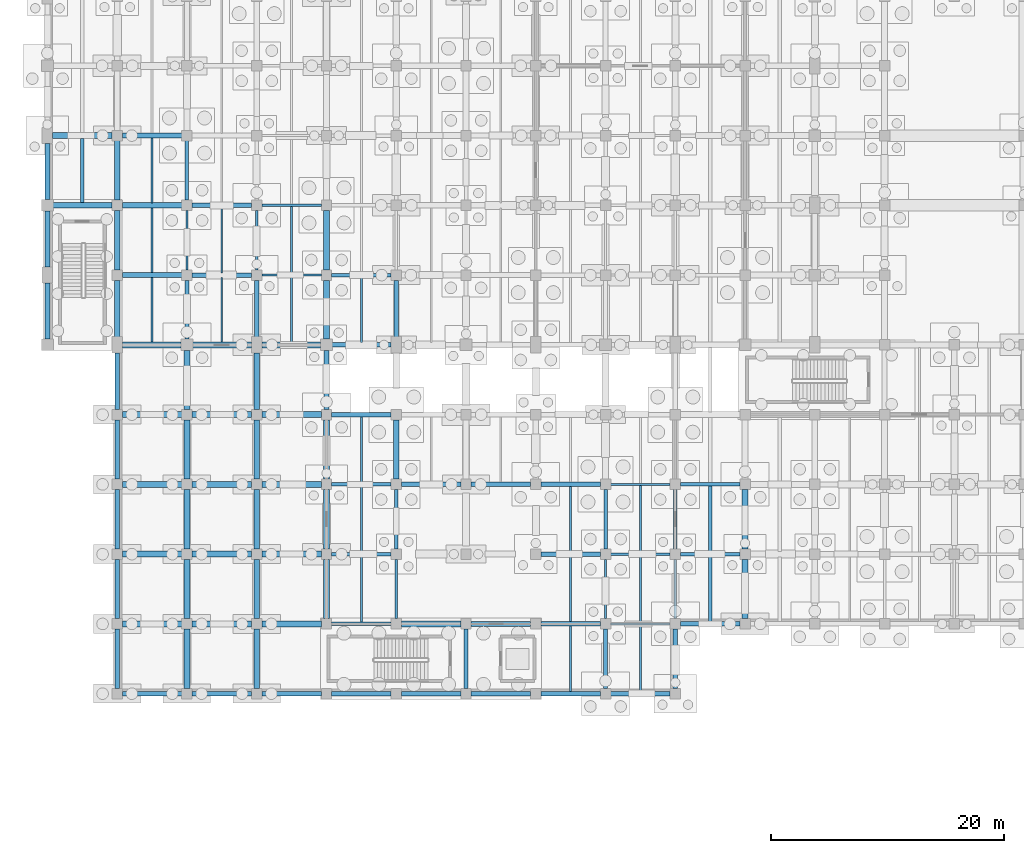
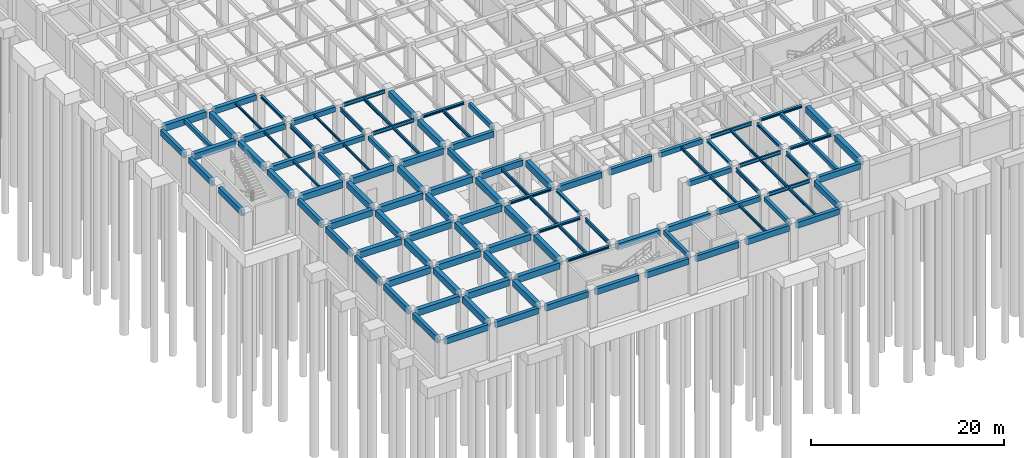
# One storey, part 26 of 54: 116 beams.
"""IFC4 building model written with IfcOpenShell, lengths in metres."""

from ifc_helpers import new_model, si_unit, direction, frame, origin, origin_2d, place, context, subcontext, project, spatial, rectangle, i_section, extrude, material, material_profile, profile_set, type_object, element, save


model = new_model("IFC4")

# Units and contexts
model_context = context("Model", 3, precision=1e-05, world=origin(), true_north=direction((0.0, 1.0)))
body_context = subcontext(model_context, "Body", "Model", "MODEL_VIEW")
ifc_project = project(units=[si_unit("LENGTHUNIT", "METRE"), si_unit("AREAUNIT", "SQUARE_METRE"), si_unit("VOLUMEUNIT", "CUBIC_METRE"), si_unit("PLANEANGLEUNIT", "RADIAN"), si_unit("MASSUNIT", "GRAM", prefix="KILO"), si_unit("THERMODYNAMICTEMPERATUREUNIT", "KELVIN"), si_unit("POWERUNIT", "WATT")], contexts=[model_context])

# Site, building, storey
site_placement = place(None, origin())
site = spatial("IfcSite", under=ifc_project, at=site_placement, CompositionType="ELEMENT")
building_placement = place(site_placement, origin())
building = spatial("IfcBuilding", under=site, at=building_placement, Name="Phaisarnlok Congress Hotel", CompositionType="ELEMENT")
storey_placement = place(building_placement, frame((0.0, 0.0, -4.800048828125)))
storey = spatial("IfcBuildingStorey", under=building, at=storey_placement, Name="B01", CompositionType="ELEMENT", Elevation=-4.800048828125)

# Beams
ifc_material_1 = material(Name="Concrete C40/50", Category="concrete")
ifc_material_profile_1 = material_profile(ifc_material_1, rectangle(XDim=0.35009765625, YDim=0.550048828125, at=origin_2d()), Name="RC 350x550")
ifc_profile_set_1 = profile_set([ifc_material_profile_1], Name="Concrete C40/50")
beam_type_1 = type_object("IfcBeamType", Name="BM-RC-350x550", PredefinedType="BEAM", material=ifc_profile_set_1)
beam_1_placement = place(storey_placement, frame((12.0, 42.4951171875, 4.22509765625), z_axis=(0.0, 1.0, 0.0), x_axis=(-1.0, 0.0, 0.0)))
element("IfcBeam", 1, at=beam_1_placement, inside=storey, type_object=beam_type_1, Name="Beam B-01", PredefinedType="BEAM", context=body_context, shape_type="SweptSolid", body=[
    extrude(rectangle(XDim=0.35009765625, YDim=0.550048828125, at=origin_2d()), origin(), (0.0, 0.0, 1.0), 5.059814453125),
])
for number, where, z_axis, x_axis, name in (
    (2, (18.0, 42.695068359375, 4.22509765625), (0.0, 1.0, 0.0), (-1.0, 0.0, 0.0), "Beam B-01"),
    (3, (30.0, 42.695068359375, 4.22509765625), (0.0, 1.0, 0.0), (-1.0, 0.0, 0.0), "Beam B-01"),
):
    element("IfcBeam", number, at=place(storey_placement, frame(where, z_axis=z_axis, x_axis=x_axis)), inside=storey, type_object=beam_type_1, Name=name, PredefinedType="BEAM", context=body_context, shape_type="SweptSolid", body=[
        extrude(rectangle(XDim=0.35009765625, YDim=0.550048828125, at=origin_2d()), origin(), (0.0, 0.0, 1.0), 4.85986328125),
    ])
for number, where, z_axis, x_axis, name in (
    (4, (36.0, 12.445068359375, 4.22509765625), (0.0, 1.0, 0.0), (-1.0, 0.0, 0.0), "Beam B-01"),
    (5, (48.0, 12.445068359375, 4.22509765625), (0.0, 1.0, 0.0), (-1.0, 0.0, 0.0), "Beam B-01"),
):
    element("IfcBeam", number, at=place(storey_placement, frame(where, z_axis=z_axis, x_axis=x_axis)), inside=storey, type_object=beam_type_1, Name=name, PredefinedType="BEAM", context=body_context, shape_type="SweptSolid", body=[
        extrude(rectangle(XDim=0.35009765625, YDim=0.550048828125, at=origin_2d()), origin(), (0.0, 0.0, 1.0), 5.10986328125),
    ])
ifc_material_profile_2 = material_profile(ifc_material_1, rectangle(XDim=0.39990234375, YDim=0.60009765625, at=origin_2d()), Name="RC 400x600")
ifc_profile_set_2 = profile_set([ifc_material_profile_2], Name="Concrete C40/50")
beam_type_2 = type_object("IfcBeamType", Name="BM-RC-400x600", PredefinedType="BEAM", material=ifc_profile_set_2)
for number, where, z_axis, x_axis, name in (
    (6, (12.445068359375, 48.0, 4.199951171875), (1.0, 0.0, 0.0), (0.0, 1.0, 0.0), "Beam B-02"),
    (7, (12.445068359375, 54.0, 4.199951171875), (1.0, 0.0, 0.0), (0.0, 1.0, 0.0), "Beam B-02"),
    (8, (42.445068359375, 18.0, 4.199951171875), (1.0, 0.0, 0.0), (0.0, 1.0, 0.0), "Beam B-02"),
    (9, (42.445068359375, 24.0, 4.199951171875), (1.0, 0.0, 0.0), (0.0, 1.0, 0.0), "Beam B-02"),
    (10, (42.445068359375, 30.0, 4.199951171875), (1.0, 0.0, 0.0), (0.0, 1.0, 0.0), "Beam B-02"),
):
    element("IfcBeam", number, at=place(storey_placement, frame(where, z_axis=z_axis, x_axis=x_axis)), inside=storey, type_object=beam_type_2, Name=name, PredefinedType="BEAM", context=body_context, shape_type="SweptSolid", body=[
        extrude(rectangle(XDim=0.39990234375, YDim=0.60009765625, at=origin_2d()), origin(), (0.0, 0.0, 1.0), 5.10986328125),
    ])
ifc_material_profile_3 = material_profile(ifc_material_1, rectangle(XDim=0.449951171875, YDim=0.699951171875, at=origin_2d()), Name="RC 450x700")
ifc_profile_set_3 = profile_set([ifc_material_profile_3], Name="Concrete C40/50")
beam_type_3 = type_object("IfcBeamType", Name="BM-RC-450x700", PredefinedType="BEAM", material=ifc_profile_set_3)
for number, where, z_axis, x_axis, name in (
    (11, (6.445068359375, 48.0, 4.150146484375), (1.0, 0.0, 0.0), (0.0, 1.0, 0.0), "Beam B-03"),
    (12, (6.445068359375, 54.0, 4.150146484375), (1.0, 0.0, 0.0), (0.0, 1.0, 0.0), "Beam B-03"),
    (13, (6.445068359375, 60.0, 4.150146484375), (1.0, 0.0, 0.0), (0.0, 1.0, 0.0), "Beam B-03"),
    (14, (36.445068359375, 18.0, 4.150146484375), (1.0, 0.0, 0.0), (0.0, 1.0, 0.0), "Beam B-03"),
):
    element("IfcBeam", number, at=place(storey_placement, frame(where, z_axis=z_axis, x_axis=x_axis)), inside=storey, type_object=beam_type_3, Name=name, PredefinedType="BEAM", context=body_context, shape_type="SweptSolid", body=[
        extrude(rectangle(XDim=0.449951171875, YDim=0.699951171875, at=origin_2d()), origin(), (0.0, 0.0, 1.0), 5.10986328125),
    ])
ifc_material_profile_4 = material_profile(ifc_material_1, rectangle(XDim=0.5, YDim=0.800048828125, at=origin_2d()), Name="RC 500x800")
ifc_profile_set_4 = profile_set([ifc_material_profile_4], Name="Concrete C40/50")
beam_type_4 = type_object("IfcBeamType", Name="BM-RC-500x800", PredefinedType="BEAM", material=ifc_profile_set_4)
beam_2_placement = place(storey_placement, frame((0.4951171875, 54.0, 4.10009765625), z_axis=(1.0, 0.0, 0.0), x_axis=(0.0, 1.0, 0.0)))
element("IfcBeam", 15, at=beam_2_placement, inside=storey, type_object=beam_type_4, Name="Beam B-04", PredefinedType="BEAM", context=body_context, shape_type="SweptSolid", body=[
    extrude(rectangle(XDim=0.5, YDim=0.800048828125, at=origin_2d()), origin(), (0.0, 0.0, 1.0), 5.059814453125),
])
for number, where, z_axis, x_axis, name in (
    (16, (0.445068359375, 60.0, 4.10009765625), (1.0, 0.0, 0.0), (0.0, 1.0, 0.0), "Beam B-04"),
    (17, (6.445068359375, 18.0, 4.150146484375), (1.0, 0.0, 0.0), (0.0, 1.0, 0.0), "Beam B-04"),
    (18, (6.445068359375, 24.0, 4.150146484375), (1.0, 0.0, 0.0), (0.0, 1.0, 0.0), "Beam B-04"),
    (19, (6.445068359375, 30.0, 4.150146484375), (1.0, 0.0, 0.0), (0.0, 1.0, 0.0), "Beam B-04"),
    (20, (6.445068359375, 36.0, 4.150146484375), (1.0, 0.0, 0.0), (0.0, 1.0, 0.0), "Beam B-04"),
):
    element("IfcBeam", number, at=place(storey_placement, frame(where, z_axis=z_axis, x_axis=x_axis)), inside=storey, type_object=beam_type_4, Name=name, PredefinedType="BEAM", context=body_context, shape_type="SweptSolid", body=[
        extrude(rectangle(XDim=0.5, YDim=0.800048828125, at=origin_2d()), origin(), (0.0, 0.0, 1.0), 5.10986328125),
    ])
beam_3_placement = place(storey_placement, frame((6.445068359375, 42.0, 4.10009765625), z_axis=(1.0, 0.0, 0.0), x_axis=(0.0, 1.0, 0.0)))
element("IfcBeam", 21, at=beam_3_placement, inside=storey, type_object=beam_type_4, Name="Beam B-04", PredefinedType="BEAM", context=body_context, shape_type="SweptSolid", body=[
    extrude(rectangle(XDim=0.5, YDim=0.800048828125, at=origin_2d()), origin(), (0.0, 0.0, 1.0), 5.059814453125),
])
beam_4_placement = place(storey_placement, frame((6.0, 42.695068359375, 4.10009765625), z_axis=(0.0, 1.0, 0.0), x_axis=(-1.0, 0.0, 0.0)))
element("IfcBeam", 22, at=beam_4_placement, inside=storey, type_object=beam_type_4, Name="Beam B-04", PredefinedType="BEAM", context=body_context, shape_type="SweptSolid", body=[
    extrude(rectangle(XDim=0.5, YDim=0.800048828125, at=origin_2d()), origin(), (0.0, 0.0, 1.0), 4.85986328125),
])
for number, where, z_axis, x_axis, name in (
    (23, (6.0, 48.445068359375, 4.10009765625), (0.0, 1.0, 0.0), (-1.0, 0.0, 0.0), "Beam B-04"),
    (24, (6.0, 54.445068359375, 4.10009765625), (0.0, 1.0, 0.0), (-1.0, 0.0, 0.0), "Beam B-04"),
    (25, (12.0, 12.445068359375, 4.150146484375), (0.0, 1.0, 0.0), (-1.0, 0.0, 0.0), "Beam B-04"),
    (26, (12.445068359375, 18.0, 4.150146484375), (1.0, 0.0, 0.0), (0.0, 1.0, 0.0), "Beam B-04"),
    (27, (12.0, 18.445068359375, 4.150146484375), (0.0, 1.0, 0.0), (-1.0, 0.0, 0.0), "Beam B-04"),
    (28, (12.445068359375, 24.0, 4.150146484375), (1.0, 0.0, 0.0), (0.0, 1.0, 0.0), "Beam B-04"),
    (29, (12.0, 24.445068359375, 4.150146484375), (0.0, 1.0, 0.0), (-1.0, 0.0, 0.0), "Beam B-04"),
    (30, (12.445068359375, 30.0, 4.150146484375), (1.0, 0.0, 0.0), (0.0, 1.0, 0.0), "Beam B-04"),
    (31, (12.0, 30.445068359375, 4.150146484375), (0.0, 1.0, 0.0), (-1.0, 0.0, 0.0), "Beam B-04"),
    (32, (12.445068359375, 36.0, 4.150146484375), (1.0, 0.0, 0.0), (0.0, 1.0, 0.0), "Beam B-04"),
):
    element("IfcBeam", number, at=place(storey_placement, frame(where, z_axis=z_axis, x_axis=x_axis)), inside=storey, type_object=beam_type_4, Name=name, PredefinedType="BEAM", context=body_context, shape_type="SweptSolid", body=[
        extrude(rectangle(XDim=0.5, YDim=0.800048828125, at=origin_2d()), origin(), (0.0, 0.0, 1.0), 5.10986328125),
    ])
for number, where, z_axis, x_axis, name in (
    (33, (12.0, 36.445068359375, 4.150146484375), (0.0, 1.0, 0.0), (-1.0, 0.0, 0.0), "Beam B-04"),
    (34, (12.4951171875, 42.0, 4.10009765625), (1.0, 0.0, 0.0), (0.0, 1.0, 0.0), "Beam B-04"),
):
    element("IfcBeam", number, at=place(storey_placement, frame(where, z_axis=z_axis, x_axis=x_axis)), inside=storey, type_object=beam_type_4, Name=name, PredefinedType="BEAM", context=body_context, shape_type="SweptSolid", body=[
        extrude(rectangle(XDim=0.5, YDim=0.800048828125, at=origin_2d()), origin(), (0.0, 0.0, 1.0), 5.059814453125),
    ])
for number, where, z_axis, x_axis, name in (
    (35, (18.0, 12.445068359375, 4.150146484375), (0.0, 1.0, 0.0), (-1.0, 0.0, 0.0), "Beam B-04"),
    (36, (18.445068359375, 18.0, 4.150146484375), (1.0, 0.0, 0.0), (0.0, 1.0, 0.0), "Beam B-04"),
    (37, (18.0, 18.445068359375, 4.150146484375), (0.0, 1.0, 0.0), (-1.0, 0.0, 0.0), "Beam B-04"),
    (38, (18.445068359375, 24.0, 4.150146484375), (1.0, 0.0, 0.0), (0.0, 1.0, 0.0), "Beam B-04"),
    (39, (18.0, 24.445068359375, 4.150146484375), (0.0, 1.0, 0.0), (-1.0, 0.0, 0.0), "Beam B-04"),
    (40, (18.445068359375, 30.0, 4.150146484375), (1.0, 0.0, 0.0), (0.0, 1.0, 0.0), "Beam B-04"),
    (41, (18.0, 30.445068359375, 4.150146484375), (0.0, 1.0, 0.0), (-1.0, 0.0, 0.0), "Beam B-04"),
    (42, (18.445068359375, 36.0, 4.150146484375), (1.0, 0.0, 0.0), (0.0, 1.0, 0.0), "Beam B-04"),
):
    element("IfcBeam", number, at=place(storey_placement, frame(where, z_axis=z_axis, x_axis=x_axis)), inside=storey, type_object=beam_type_4, Name=name, PredefinedType="BEAM", context=body_context, shape_type="SweptSolid", body=[
        extrude(rectangle(XDim=0.5, YDim=0.800048828125, at=origin_2d()), origin(), (0.0, 0.0, 1.0), 5.10986328125),
    ])
beam_5_placement = place(storey_placement, frame((18.0, 36.445068359375, 4.150146484375), z_axis=(0.0, 1.0, 0.0), x_axis=(-1.0, 0.0, 0.0)))
element("IfcBeam", 43, at=beam_5_placement, inside=storey, type_object=beam_type_4, Name="Beam B-04", PredefinedType="BEAM", context=body_context, shape_type="SweptSolid", body=[
    extrude(rectangle(XDim=0.5, YDim=0.800048828125, at=origin_2d()), origin(), (0.0, 0.0, 1.0), 4.85986328125),
])
beam_6_placement = place(storey_placement, frame((18.445068359375, 42.0, 4.10009765625), z_axis=(1.0, 0.0, 0.0), x_axis=(0.0, 1.0, 0.0)))
element("IfcBeam", 44, at=beam_6_placement, inside=storey, type_object=beam_type_4, Name="Beam B-04", PredefinedType="BEAM", context=body_context, shape_type="SweptSolid", body=[
    extrude(rectangle(XDim=0.5, YDim=0.800048828125, at=origin_2d()), origin(), (0.0, 0.0, 1.0), 5.059814453125),
])
for number, where, z_axis, x_axis, name in (
    (45, (24.0, 18.445068359375, 4.10009765625), (0.0, 1.0, 0.0), (-1.0, 0.0, 0.0), "Beam B-04"),
    (46, (24.0, 24.445068359375, 4.10009765625), (0.0, 1.0, 0.0), (-1.0, 0.0, 0.0), "Beam B-04"),
    (47, (24.0, 30.445068359375, 4.10009765625), (0.0, 1.0, 0.0), (-1.0, 0.0, 0.0), "Beam B-04"),
):
    element("IfcBeam", number, at=place(storey_placement, frame(where, z_axis=z_axis, x_axis=x_axis)), inside=storey, type_object=beam_type_4, Name=name, PredefinedType="BEAM", context=body_context, shape_type="SweptSolid", body=[
        extrude(rectangle(XDim=0.5, YDim=0.800048828125, at=origin_2d()), origin(), (0.0, 0.0, 1.0), 5.10986328125),
    ])
beam_7_placement = place(storey_placement, frame((24.0, 42.4951171875, 4.10009765625), z_axis=(0.0, 1.0, 0.0), x_axis=(-1.0, 0.0, 0.0)))
element("IfcBeam", 48, at=beam_7_placement, inside=storey, type_object=beam_type_4, Name="Beam B-04", PredefinedType="BEAM", context=body_context, shape_type="SweptSolid", body=[
    extrude(rectangle(XDim=0.5, YDim=0.800048828125, at=origin_2d()), origin(), (0.0, 0.0, 1.0), 5.059814453125),
])
for number, where, z_axis, x_axis, name in (
    (49, (24.0, 48.445068359375, 4.10009765625), (0.0, 1.0, 0.0), (-1.0, 0.0, 0.0), "Beam B-04"),
    (50, (30.445068359375, 18.0, 4.10009765625), (1.0, 0.0, 0.0), (0.0, 1.0, 0.0), "Beam B-04"),
    (51, (30.0, 30.445068359375, 4.10009765625), (0.0, 1.0, 0.0), (-1.0, 0.0, 0.0), "Beam B-04"),
    (52, (60.0, 18.445068359375, 4.10009765625), (0.0, 1.0, 0.0), (-1.0, 0.0, 0.0), "Beam B-04"),
    (53, (60.0, 24.445068359375, 4.10009765625), (0.0, 1.0, 0.0), (-1.0, 0.0, 0.0), "Beam B-04"),
):
    element("IfcBeam", number, at=place(storey_placement, frame(where, z_axis=z_axis, x_axis=x_axis)), inside=storey, type_object=beam_type_4, Name=name, PredefinedType="BEAM", context=body_context, shape_type="SweptSolid", body=[
        extrude(rectangle(XDim=0.5, YDim=0.800048828125, at=origin_2d()), origin(), (0.0, 0.0, 1.0), 5.10986328125),
    ])
ifc_material_2 = material(Name="Steel S355", Category="steel")
ifc_material_profile_5 = material_profile(ifc_material_2, i_section(OverallWidth=0.300048828125, OverallDepth=0.2900390625, WebThickness=0.008544921875, FlangeThickness=0.013916015625, FilletRadius=0.027099609375, at=origin_2d()), Name="HEA 300")
ifc_profile_set_5 = profile_set([ifc_material_profile_5], Name="Steel S355")
beam_type_5 = type_object("IfcBeamType", Name="BM-STL-HEA300", PredefinedType="BEAM", material=ifc_profile_set_5)
for number, where, z_axis, x_axis, name in (
    (54, (24.445068359375, 18.0, 4.35498046875), (1.0, 0.0, 0.0), (0.0, 1.0, 0.0), "Beam SB-05"),
    (55, (24.445068359375, 24.0, 4.35498046875), (1.0, 0.0, 0.0), (0.0, 1.0, 0.0), "Beam SB-05"),
    (56, (24.445068359375, 30.0, 4.35498046875), (1.0, 0.0, 0.0), (0.0, 1.0, 0.0), "Beam SB-05"),
    (57, (24.445068359375, 48.0, 4.35498046875), (1.0, 0.0, 0.0), (0.0, 1.0, 0.0), "Beam SB-05"),
    (58, (54.445068359375, 24.0, 4.35498046875), (1.0, 0.0, 0.0), (0.0, 1.0, 0.0), "Beam SB-05"),
    (59, (54.445068359375, 30.0, 4.35498046875), (1.0, 0.0, 0.0), (0.0, 1.0, 0.0), "Beam SB-05"),
):
    element("IfcBeam", number, at=place(storey_placement, frame(where, z_axis=z_axis, x_axis=x_axis)), inside=storey, type_object=beam_type_5, Name=name, PredefinedType="BEAM", context=body_context, shape_type="SweptSolid", body=[
        extrude(i_section(OverallWidth=0.300048828125, OverallDepth=0.2900390625, WebThickness=0.008544921875, FlangeThickness=0.013916015625, FilletRadius=0.027099609375, at=origin_2d()), origin(), (0.0, 0.0, 1.0), 5.10986328125),
    ])
ifc_material_profile_6 = material_profile(ifc_material_2, i_section(OverallWidth=0.300048828125, OverallDepth=0.340087890625, WebThickness=0.011962890625, FlangeThickness=0.021484375, FilletRadius=0.027099609375, at=origin_2d()), Name="HEB 340")
ifc_profile_set_6 = profile_set([ifc_material_profile_6], Name="Steel S355")
beam_type_6 = type_object("IfcBeamType", Name="BM-STL-HEB340", PredefinedType="BEAM", material=ifc_profile_set_6)
for number, where, z_axis, x_axis, name in (
    (60, (12.0, 54.445068359375, 4.330078125), (0.0, 1.0, 0.0), (-1.0, 0.0, 0.0), "Beam SB-07"),
    (61, (30.0, 24.445068359375, 4.330078125), (0.0, 1.0, 0.0), (-1.0, 0.0, 0.0), "Beam SB-07"),
    (62, (48.0, 24.445068359375, 4.330078125), (0.0, 1.0, 0.0), (-1.0, 0.0, 0.0), "Beam SB-07"),
    (63, (54.0, 24.445068359375, 4.330078125), (0.0, 1.0, 0.0), (-1.0, 0.0, 0.0), "Beam SB-07"),
):
    element("IfcBeam", number, at=place(storey_placement, frame(where, z_axis=z_axis, x_axis=x_axis)), inside=storey, type_object=beam_type_6, Name=name, PredefinedType="BEAM", context=body_context, shape_type="SweptSolid", body=[
        extrude(i_section(OverallWidth=0.300048828125, OverallDepth=0.340087890625, WebThickness=0.011962890625, FlangeThickness=0.021484375, FilletRadius=0.027099609375, at=origin_2d()), origin(), (0.0, 0.0, 1.0), 5.10986328125),
    ])
ifc_material_profile_7 = material_profile(ifc_material_2, i_section(OverallWidth=0.18994140625, OverallDepth=0.449951171875, WebThickness=0.009521484375, FlangeThickness=0.0146484375, FilletRadius=0.02099609375, at=origin_2d()), Name="IPE 450")
ifc_profile_set_7 = profile_set([ifc_material_profile_7], Name="Steel S355")
beam_type_7 = type_object("IfcBeamType", Name="BM-STL-IPE450", PredefinedType="BEAM", material=ifc_profile_set_7)
for number, where, z_axis, x_axis, name in (
    (64, (18.445068359375, 48.0, 4.275146484375), (1.0, 0.0, 0.0), (0.0, 1.0, 0.0), "Beam SB-01"),
    (65, (18.445068359375, 54.0, 4.275146484375), (1.0, 0.0, 0.0), (0.0, 1.0, 0.0), "Beam SB-01"),
    (66, (48.445068359375, 18.0, 4.275146484375), (1.0, 0.0, 0.0), (0.0, 1.0, 0.0), "Beam SB-01"),
    (67, (48.445068359375, 24.0, 4.275146484375), (1.0, 0.0, 0.0), (0.0, 1.0, 0.0), "Beam SB-01"),
    (68, (48.445068359375, 30.0, 4.275146484375), (1.0, 0.0, 0.0), (0.0, 1.0, 0.0), "Beam SB-01"),
):
    element("IfcBeam", number, at=place(storey_placement, frame(where, z_axis=z_axis, x_axis=x_axis)), inside=storey, type_object=beam_type_7, Name=name, PredefinedType="BEAM", context=body_context, shape_type="SweptSolid", body=[
        extrude(i_section(OverallWidth=0.18994140625, OverallDepth=0.449951171875, WebThickness=0.009521484375, FlangeThickness=0.0146484375, FilletRadius=0.02099609375, at=origin_2d()), origin(), (0.0, 0.0, 1.0), 5.10986328125),
    ])
ifc_material_profile_8 = material_profile(ifc_material_2, i_section(OverallWidth=0.199951171875, OverallDepth=0.5, WebThickness=0.01025390625, FlangeThickness=0.01611328125, FilletRadius=0.02099609375, at=origin_2d()), Name="IPE 500")
ifc_profile_set_8 = profile_set([ifc_material_profile_8], Name="Steel S355")
beam_type_8 = type_object("IfcBeamType", Name="BM-STL-IPE500", PredefinedType="BEAM", material=ifc_profile_set_8)
for number, where, z_axis, x_axis, name in (
    (69, (12.0, 48.445068359375, 4.25), (0.0, 1.0, 0.0), (-1.0, 0.0, 0.0), "Beam SB-02"),
    (70, (18.0, 48.445068359375, 4.25), (0.0, 1.0, 0.0), (-1.0, 0.0, 0.0), "Beam SB-02"),
    (71, (30.0, 18.445068359375, 4.25), (0.0, 1.0, 0.0), (-1.0, 0.0, 0.0), "Beam SB-02"),
    (72, (48.0, 18.445068359375, 4.25), (0.0, 1.0, 0.0), (-1.0, 0.0, 0.0), "Beam SB-02"),
    (73, (54.0, 18.445068359375, 4.25), (0.0, 1.0, 0.0), (-1.0, 0.0, 0.0), "Beam SB-02"),
):
    element("IfcBeam", number, at=place(storey_placement, frame(where, z_axis=z_axis, x_axis=x_axis)), inside=storey, type_object=beam_type_8, Name=name, PredefinedType="BEAM", context=body_context, shape_type="SweptSolid", body=[
        extrude(i_section(OverallWidth=0.199951171875, OverallDepth=0.5, WebThickness=0.01025390625, FlangeThickness=0.01611328125, FilletRadius=0.02099609375, at=origin_2d()), origin(), (0.0, 0.0, 1.0), 5.10986328125),
    ])
ifc_material_profile_9 = material_profile(ifc_material_1, rectangle(XDim=0.300048828125, YDim=0.5, at=origin_2d()), Name="RC 300x500")
ifc_profile_set_9 = profile_set([ifc_material_profile_9], Name="Concrete C40/50")
beam_type_9 = type_object("IfcBeamType", Name="JS-RC-300x500", PredefinedType="JOIST", material=ifc_profile_set_9)
beam_8_placement = place(storey_placement, frame((3.0, 54.2451171875, 4.25), z_axis=(0.0, 1.0, 0.0), x_axis=(-1.0, 0.0, 0.0)))
element("IfcBeam", 74, at=beam_8_placement, inside=storey, type_object=beam_type_9, Name="Secondary floor joist J-01", PredefinedType="JOIST", context=body_context, shape_type="SweptSolid", body=[
    extrude(rectangle(XDim=0.300048828125, YDim=0.5, at=origin_2d()), origin(), (0.0, 0.0, 1.0), 5.509765625),
])
beam_9_placement = place(storey_placement, frame((57.0, 18.195068359375, 4.25), z_axis=(0.0, 1.0, 0.0), x_axis=(-1.0, 0.0, 0.0)))
element("IfcBeam", 75, at=beam_9_placement, inside=storey, type_object=beam_type_9, Name="Secondary floor joist J-01", PredefinedType="JOIST", context=body_context, shape_type="SweptSolid", body=[
    extrude(rectangle(XDim=0.300048828125, YDim=0.5, at=origin_2d()), origin(), (0.0, 0.0, 1.0), 5.659912109375),
])
beam_10_placement = place(storey_placement, frame((57.0, 24.14501953125, 4.25), z_axis=(0.0, 1.0, 0.0), x_axis=(-1.0, 0.0, 0.0)))
element("IfcBeam", 76, at=beam_10_placement, inside=storey, type_object=beam_type_9, Name="Secondary floor joist J-01", PredefinedType="JOIST", context=body_context, shape_type="SweptSolid", body=[
    extrude(rectangle(XDim=0.300048828125, YDim=0.5, at=origin_2d()), origin(), (0.0, 0.0, 1.0), 5.7099609375),
])
ifc_material_profile_10 = material_profile(ifc_material_2, i_section(OverallWidth=0.14990234375, OverallDepth=0.300048828125, WebThickness=0.007080078125, FlangeThickness=0.0107421875, FilletRadius=0.014892578125, at=origin_2d()), Name="IPE 300")
ifc_profile_set_10 = profile_set([ifc_material_profile_10], Name="Steel S355")
beam_type_10 = type_object("IfcBeamType", Name="JS-STL-IPE300", PredefinedType="JOIST", material=ifc_profile_set_10)
beam_11_placement = place(storey_placement, frame((9.0, 42.2451171875, 4.35009765625), z_axis=(0.0, 1.0, 0.0), x_axis=(-1.0, 0.0, 0.0)))
element("IfcBeam", 77, at=beam_11_placement, inside=storey, type_object=beam_type_10, Name="Secondary floor joist J-03", PredefinedType="JOIST", context=body_context, shape_type="SweptSolid", body=[
    extrude(i_section(OverallWidth=0.14990234375, OverallDepth=0.300048828125, WebThickness=0.007080078125, FlangeThickness=0.0107421875, FilletRadius=0.014892578125, at=origin_2d()), origin(), (0.0, 0.0, 1.0), 5.534912109375),
])
for number, where, z_axis, x_axis, name in (
    (78, (9.0, 48.219970703125, 4.35009765625), (0.0, 1.0, 0.0), (-1.0, 0.0, 0.0), "Secondary floor joist J-03"),
    (79, (9.0, 54.219970703125, 4.35009765625), (0.0, 1.0, 0.0), (-1.0, 0.0, 0.0), "Secondary floor joist J-03"),
):
    element("IfcBeam", number, at=place(storey_placement, frame(where, z_axis=z_axis, x_axis=x_axis)), inside=storey, type_object=beam_type_10, Name=name, PredefinedType="JOIST", context=body_context, shape_type="SweptSolid", body=[
        extrude(i_section(OverallWidth=0.14990234375, OverallDepth=0.300048828125, WebThickness=0.007080078125, FlangeThickness=0.0107421875, FilletRadius=0.014892578125, at=origin_2d()), origin(), (0.0, 0.0, 1.0), 5.56005859375),
    ])
beam_12_placement = place(storey_placement, frame((15.0, 42.2451171875, 4.35009765625), z_axis=(0.0, 1.0, 0.0), x_axis=(-1.0, 0.0, 0.0)))
element("IfcBeam", 80, at=beam_12_placement, inside=storey, type_object=beam_type_10, Name="Secondary floor joist J-03", PredefinedType="JOIST", context=body_context, shape_type="SweptSolid", body=[
    extrude(i_section(OverallWidth=0.14990234375, OverallDepth=0.300048828125, WebThickness=0.007080078125, FlangeThickness=0.0107421875, FilletRadius=0.014892578125, at=origin_2d()), origin(), (0.0, 0.0, 1.0), 5.559814453125),
])
beam_13_placement = place(storey_placement, frame((15.0, 48.195068359375, 4.35009765625), z_axis=(0.0, 1.0, 0.0), x_axis=(-1.0, 0.0, 0.0)))
element("IfcBeam", 81, at=beam_13_placement, inside=storey, type_object=beam_type_10, Name="Secondary floor joist J-03", PredefinedType="JOIST", context=body_context, shape_type="SweptSolid", body=[
    extrude(i_section(OverallWidth=0.14990234375, OverallDepth=0.300048828125, WebThickness=0.007080078125, FlangeThickness=0.0107421875, FilletRadius=0.014892578125, at=origin_2d()), origin(), (0.0, 0.0, 1.0), 5.60986328125),
])
ifc_material_profile_11 = material_profile(ifc_material_2, i_section(OverallWidth=0.169921875, OverallDepth=0.360107421875, WebThickness=0.008056640625, FlangeThickness=0.0126953125, FilletRadius=0.01806640625, at=origin_2d()), Name="IPE 360")
ifc_profile_set_11 = profile_set([ifc_material_profile_11], Name="Steel S355")
beam_type_11 = type_object("IfcBeamType", Name="JS-STL-IPE360", PredefinedType="JOIST", material=ifc_profile_set_11)
for number, where, z_axis, x_axis, name in (
    (82, (45.0, 12.195068359375, 4.320068359375), (0.0, 1.0, 0.0), (-1.0, 0.0, 0.0), "Secondary floor joist J-04"),
    (83, (45.0, 18.195068359375, 4.320068359375), (0.0, 1.0, 0.0), (-1.0, 0.0, 0.0), "Secondary floor joist J-04"),
    (84, (45.0, 24.195068359375, 4.320068359375), (0.0, 1.0, 0.0), (-1.0, 0.0, 0.0), "Secondary floor joist J-04"),
):
    element("IfcBeam", number, at=place(storey_placement, frame(where, z_axis=z_axis, x_axis=x_axis)), inside=storey, type_object=beam_type_11, Name=name, PredefinedType="JOIST", context=body_context, shape_type="SweptSolid", body=[
        extrude(i_section(OverallWidth=0.169921875, OverallDepth=0.360107421875, WebThickness=0.008056640625, FlangeThickness=0.0126953125, FilletRadius=0.01806640625, at=origin_2d()), origin(), (0.0, 0.0, 1.0), 5.60986328125),
    ])
beam_14_placement = place(storey_placement, frame((51.0, 12.195068359375, 4.320068359375), z_axis=(0.0, 1.0, 0.0), x_axis=(-1.0, 0.0, 0.0)))
element("IfcBeam", 85, at=beam_14_placement, inside=storey, type_object=beam_type_11, Name="Secondary floor joist J-04", PredefinedType="JOIST", context=body_context, shape_type="SweptSolid", body=[
    extrude(i_section(OverallWidth=0.169921875, OverallDepth=0.360107421875, WebThickness=0.008056640625, FlangeThickness=0.0126953125, FilletRadius=0.01806640625, at=origin_2d()), origin(), (0.0, 0.0, 1.0), 5.71484375),
])
for number, where, z_axis, x_axis, name in (
    (86, (51.0, 18.090087890625, 4.320068359375), (0.0, 1.0, 0.0), (-1.0, 0.0, 0.0), "Secondary floor joist J-04"),
    (87, (51.0, 24.090087890625, 4.320068359375), (0.0, 1.0, 0.0), (-1.0, 0.0, 0.0), "Secondary floor joist J-04"),
):
    element("IfcBeam", number, at=place(storey_placement, frame(where, z_axis=z_axis, x_axis=x_axis)), inside=storey, type_object=beam_type_11, Name=name, PredefinedType="JOIST", context=body_context, shape_type="SweptSolid", body=[
        extrude(i_section(OverallWidth=0.169921875, OverallDepth=0.360107421875, WebThickness=0.008056640625, FlangeThickness=0.0126953125, FilletRadius=0.01806640625, at=origin_2d()), origin(), (0.0, 0.0, 1.0), 5.81982421875),
    ])
ifc_material_profile_12 = material_profile(ifc_material_2, i_section(OverallWidth=0.179931640625, OverallDepth=0.39990234375, WebThickness=0.008544921875, FlangeThickness=0.013427734375, FilletRadius=0.02099609375, at=origin_2d()), Name="IPE 400")
ifc_profile_set_12 = profile_set([ifc_material_profile_12], Name="Steel S355")
beam_type_12 = type_object("IfcBeamType", Name="JS-STL-IPE400", PredefinedType="JOIST", material=ifc_profile_set_12)
beam_15_placement = place(storey_placement, frame((21.0, 42.2451171875, 4.300048828125), z_axis=(0.0, 1.0, 0.0), x_axis=(-1.0, 0.0, 0.0)))
element("IfcBeam", 88, at=beam_15_placement, inside=storey, type_object=beam_type_12, Name="Secondary floor joist J-05", PredefinedType="JOIST", context=body_context, shape_type="SweptSolid", body=[
    extrude(i_section(OverallWidth=0.179931640625, OverallDepth=0.39990234375, WebThickness=0.008544921875, FlangeThickness=0.013427734375, FilletRadius=0.02099609375, at=origin_2d()), origin(), (0.0, 0.0, 1.0), 5.664794921875),
])
beam_16_placement = place(storey_placement, frame((21.0, 48.090087890625, 4.300048828125), z_axis=(0.0, 1.0, 0.0), x_axis=(-1.0, 0.0, 0.0)))
element("IfcBeam", 89, at=beam_16_placement, inside=storey, type_object=beam_type_12, Name="Secondary floor joist J-05", PredefinedType="JOIST", context=body_context, shape_type="SweptSolid", body=[
    extrude(i_section(OverallWidth=0.179931640625, OverallDepth=0.39990234375, WebThickness=0.008544921875, FlangeThickness=0.013427734375, FilletRadius=0.02099609375, at=origin_2d()), origin(), (0.0, 0.0, 1.0), 5.81982421875),
])
for number, where, z_axis, x_axis, name in (
    (90, (27.0, 18.14501953125, 4.300048828125), (0.0, 1.0, 0.0), (-1.0, 0.0, 0.0), "Secondary floor joist J-05"),
    (91, (27.0, 24.14501953125, 4.300048828125), (0.0, 1.0, 0.0), (-1.0, 0.0, 0.0), "Secondary floor joist J-05"),
):
    element("IfcBeam", number, at=place(storey_placement, frame(where, z_axis=z_axis, x_axis=x_axis)), inside=storey, type_object=beam_type_12, Name=name, PredefinedType="JOIST", context=body_context, shape_type="SweptSolid", body=[
        extrude(i_section(OverallWidth=0.179931640625, OverallDepth=0.39990234375, WebThickness=0.008544921875, FlangeThickness=0.013427734375, FilletRadius=0.02099609375, at=origin_2d()), origin(), (0.0, 0.0, 1.0), 5.7099609375),
    ])
for number, where, z_axis, x_axis, name in (
    (92, (27.0, 30.14501953125, 4.300048828125), (0.0, 1.0, 0.0), (-1.0, 0.0, 0.0), "Secondary floor joist J-05"),
    (93, (27.0, 42.195068359375, 4.300048828125), (0.0, 1.0, 0.0), (-1.0, 0.0, 0.0), "Secondary floor joist J-05"),
):
    element("IfcBeam", number, at=place(storey_placement, frame(where, z_axis=z_axis, x_axis=x_axis)), inside=storey, type_object=beam_type_12, Name=name, PredefinedType="JOIST", context=body_context, shape_type="SweptSolid", body=[
        extrude(i_section(OverallWidth=0.179931640625, OverallDepth=0.39990234375, WebThickness=0.008544921875, FlangeThickness=0.013427734375, FilletRadius=0.02099609375, at=origin_2d()), origin(), (0.0, 0.0, 1.0), 5.659912109375),
    ])
ifc_material_profile_13 = material_profile(ifc_material_1, rectangle(XDim=0.39990234375, YDim=0.75, at=origin_2d()), Name="RC 400x750")
ifc_profile_set_13 = profile_set([ifc_material_profile_13], Name="Concrete C40/50")
beam_type_13 = type_object("IfcBeamType", Name="SP-RC-400x750", PredefinedType="SPANDREL", material=ifc_profile_set_13)
for number, where, z_axis, x_axis, name in (
    (94, (0.0, 42.4951171875, 4.125), (0.0, 1.0, 0.0), (-1.0, 0.0, 0.0), "Beam SP-02"),
    (95, (0.0, 48.695068359375, 4.125), (0.0, 1.0, 0.0), (-1.0, 0.0, 0.0), "Beam SP-02"),
    (96, (0.0, 54.4951171875, 4.125), (0.0, 1.0, 0.0), (-1.0, 0.0, 0.0), "Beam SP-02"),
):
    element("IfcBeam", number, at=place(storey_placement, frame(where, z_axis=z_axis, x_axis=x_axis)), inside=storey, type_object=beam_type_13, Name=name, PredefinedType="SPANDREL", context=body_context, shape_type="SweptSolid", body=[
        extrude(rectangle(XDim=0.39990234375, YDim=0.75, at=origin_2d()), origin(), (0.0, 0.0, 1.0), 4.809814453125),
    ])
for number, where, z_axis, x_axis, name in (
    (97, (6.445068359375, 12.0, 4.175048828125), (1.0, 0.0, 0.0), (0.0, 1.0, 0.0), "Beam SP-02"),
    (98, (6.0, 12.445068359375, 4.175048828125), (0.0, 1.0, 0.0), (-1.0, 0.0, 0.0), "Beam SP-02"),
    (99, (6.0, 18.445068359375, 4.175048828125), (0.0, 1.0, 0.0), (-1.0, 0.0, 0.0), "Beam SP-02"),
    (100, (6.0, 24.445068359375, 4.175048828125), (0.0, 1.0, 0.0), (-1.0, 0.0, 0.0), "Beam SP-02"),
    (101, (6.0, 30.445068359375, 4.175048828125), (0.0, 1.0, 0.0), (-1.0, 0.0, 0.0), "Beam SP-02"),
):
    element("IfcBeam", number, at=place(storey_placement, frame(where, z_axis=z_axis, x_axis=x_axis)), inside=storey, type_object=beam_type_13, Name=name, PredefinedType="SPANDREL", context=body_context, shape_type="SweptSolid", body=[
        extrude(rectangle(XDim=0.39990234375, YDim=0.75, at=origin_2d()), origin(), (0.0, 0.0, 1.0), 5.10986328125),
    ])
beam_17_placement = place(storey_placement, frame((6.0, 36.445068359375, 4.175048828125), z_axis=(0.0, 1.0, 0.0), x_axis=(-1.0, 0.0, 0.0)))
element("IfcBeam", 102, at=beam_17_placement, inside=storey, type_object=beam_type_13, Name="Beam SP-02", PredefinedType="SPANDREL", context=body_context, shape_type="SweptSolid", body=[
    extrude(rectangle(XDim=0.39990234375, YDim=0.75, at=origin_2d()), origin(), (0.0, 0.0, 1.0), 4.85986328125),
])
for number, where, z_axis, x_axis, name in (
    (103, (12.445068359375, 12.0, 4.175048828125), (1.0, 0.0, 0.0), (0.0, 1.0, 0.0), "Beam SP-02"),
    (104, (18.445068359375, 12.0, 4.175048828125), (1.0, 0.0, 0.0), (0.0, 1.0, 0.0), "Beam SP-02"),
    (105, (24.445068359375, 12.0, 4.125), (1.0, 0.0, 0.0), (0.0, 1.0, 0.0), "Beam SP-02"),
    (106, (24.445068359375, 36.0, 4.125), (1.0, 0.0, 0.0), (0.0, 1.0, 0.0), "Beam SP-02"),
):
    element("IfcBeam", number, at=place(storey_placement, frame(where, z_axis=z_axis, x_axis=x_axis)), inside=storey, type_object=beam_type_13, Name=name, PredefinedType="SPANDREL", context=body_context, shape_type="SweptSolid", body=[
        extrude(rectangle(XDim=0.39990234375, YDim=0.75, at=origin_2d()), origin(), (0.0, 0.0, 1.0), 5.10986328125),
    ])
for number, where, z_axis, x_axis, name in (
    (107, (24.0, 36.445068359375, 4.175048828125), (0.0, 1.0, 0.0), (-1.0, 0.0, 0.0), "Beam SP-02"),
    (108, (24.4951171875, 42.0, 4.125), (1.0, 0.0, 0.0), (0.0, 1.0, 0.0), "Beam SP-02"),
):
    element("IfcBeam", number, at=place(storey_placement, frame(where, z_axis=z_axis, x_axis=x_axis)), inside=storey, type_object=beam_type_13, Name=name, PredefinedType="SPANDREL", context=body_context, shape_type="SweptSolid", body=[
        extrude(rectangle(XDim=0.39990234375, YDim=0.75, at=origin_2d()), origin(), (0.0, 0.0, 1.0), 5.059814453125),
    ])
for number, where, z_axis, x_axis, name in (
    (109, (30.445068359375, 12.0, 4.125), (1.0, 0.0, 0.0), (0.0, 1.0, 0.0), "Beam SP-02"),
    (110, (30.445068359375, 30.0, 4.125), (1.0, 0.0, 0.0), (0.0, 1.0, 0.0), "Beam SP-02"),
    (111, (36.445068359375, 12.0, 4.125), (1.0, 0.0, 0.0), (0.0, 1.0, 0.0), "Beam SP-02"),
    (112, (36.445068359375, 30.0, 4.125), (1.0, 0.0, 0.0), (0.0, 1.0, 0.0), "Beam SP-02"),
    (113, (42.445068359375, 12.0, 4.125), (1.0, 0.0, 0.0), (0.0, 1.0, 0.0), "Beam SP-02"),
    (114, (48.445068359375, 12.0, 4.125), (1.0, 0.0, 0.0), (0.0, 1.0, 0.0), "Beam SP-02"),
    (115, (54.0, 12.445068359375, 4.125), (0.0, 1.0, 0.0), (-1.0, 0.0, 0.0), "Beam SP-02"),
    (116, (54.445068359375, 18.0, 4.125), (1.0, 0.0, 0.0), (0.0, 1.0, 0.0), "Beam SP-02"),
):
    element("IfcBeam", number, at=place(storey_placement, frame(where, z_axis=z_axis, x_axis=x_axis)), inside=storey, type_object=beam_type_13, Name=name, PredefinedType="SPANDREL", context=body_context, shape_type="SweptSolid", body=[
        extrude(rectangle(XDim=0.39990234375, YDim=0.75, at=origin_2d()), origin(), (0.0, 0.0, 1.0), 5.10986328125),
    ])

save(model, "model.ifc")
